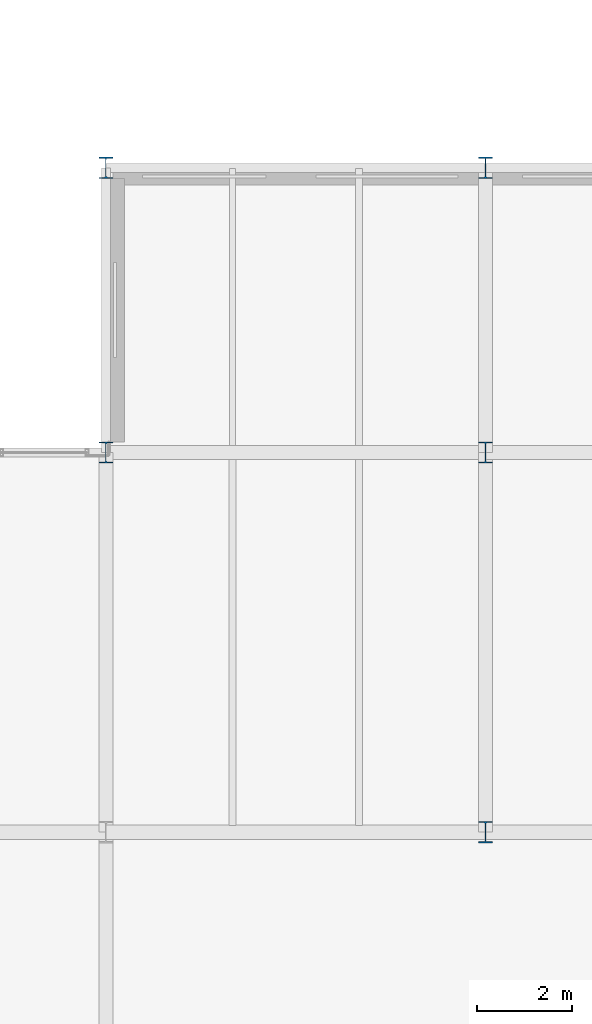
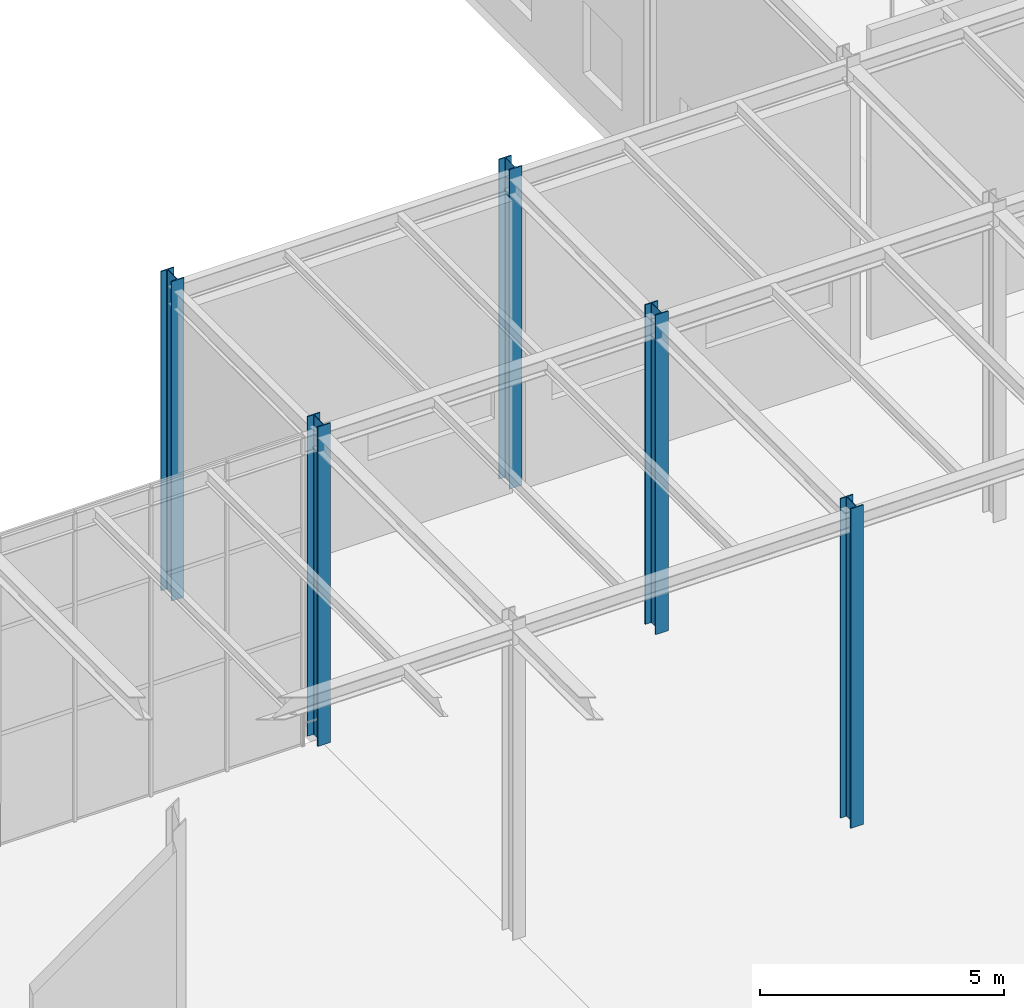
# One storey, part 6 of 138: 5 columns.
"""IFC4 building model written with IfcOpenShell, lengths in metres."""

from ifc_helpers import new_model, si_unit, direction, frame, origin, origin_2d, place, context, subcontext, project, spatial, i_section, extrude, material, material_profile, profile_set, type_object, element, save


model = new_model("IFC4")

# Units and contexts
model_context = context("Model", 3, precision=1e-05, world=origin(), true_north=direction((0.0, 1.0)))
body_context = subcontext(model_context, "Body", "Model", "MODEL_VIEW")
ifc_project = project(units=[si_unit("LENGTHUNIT", "METRE"), si_unit("AREAUNIT", "SQUARE_METRE"), si_unit("VOLUMEUNIT", "CUBIC_METRE"), si_unit("PLANEANGLEUNIT", "RADIAN"), si_unit("MASSUNIT", "GRAM", prefix="KILO")], contexts=[model_context])

# Site, building, storey
site_placement = place(None, origin())
site = spatial("IfcSite", under=ifc_project, at=site_placement, CompositionType="ELEMENT")
building_placement = place(site_placement, origin())
building = spatial("IfcBuilding", under=site, at=building_placement, Name="Sundkrona Museum", CompositionType="ELEMENT")
storey_placement = place(building_placement, frame((0.0, 0.0, 9.60009765625)))
storey = spatial("IfcBuildingStorey", under=building, at=storey_placement, Name="L02", CompositionType="ELEMENT", Elevation=9.60009765625)

# Columns
ifc_material = material(Name="Steel S355J2", Category="steel")
ifc_material_profile = material_profile(ifc_material, i_section(OverallWidth=0.300048828125, OverallDepth=0.449951171875, WebThickness=0.013916015625, FlangeThickness=0.02587890625, FilletRadius=0.027099609375, at=origin_2d()), Name="HEB 450")
ifc_profile_set = profile_set([ifc_material_profile], Name="Steel S355J2")
column_type = type_object("IfcColumnType", Name="C-HEB450", PredefinedType="COLUMN", material=ifc_profile_set)
for number, where, z_axis, x_axis, name in (
    (1, (120.0, 40.0, 0.0), (0.0, 0.0, 1.0), (1.0, 0.0, 0.0), "L02 Column F/16"),
    (2, (120.0, 46.0, 0.0), (0.0, 0.0, 1.0), (1.0, 0.0, 0.0), "L02 Column G/16"),
    (3, (128.0, 32.0, 0.0), (0.0, 0.0, 1.0), (1.0, 0.0, 0.0), "L02 Column E/17"),
    (4, (128.0, 40.0, 0.0), (0.0, 0.0, 1.0), (1.0, 0.0, 0.0), "L02 Column F/17"),
    (5, (128.0, 46.0, 0.0), (0.0, 0.0, 1.0), (1.0, 0.0, 0.0), "L02 Column G/17"),
):
    element("IfcColumn", number, at=place(storey_placement, frame(where, z_axis=z_axis, x_axis=x_axis)), inside=storey, type_object=column_type, Name=name, PredefinedType="COLUMN", context=body_context, shape_type="SweptSolid", body=[
        extrude(i_section(OverallWidth=0.300048828125, OverallDepth=0.449951171875, WebThickness=0.013916015625, FlangeThickness=0.02587890625, FilletRadius=0.027099609375, at=origin_2d()), origin(), (0.0, 0.0, 1.0), 8.0),
    ])

save(model, "model.ifc")
